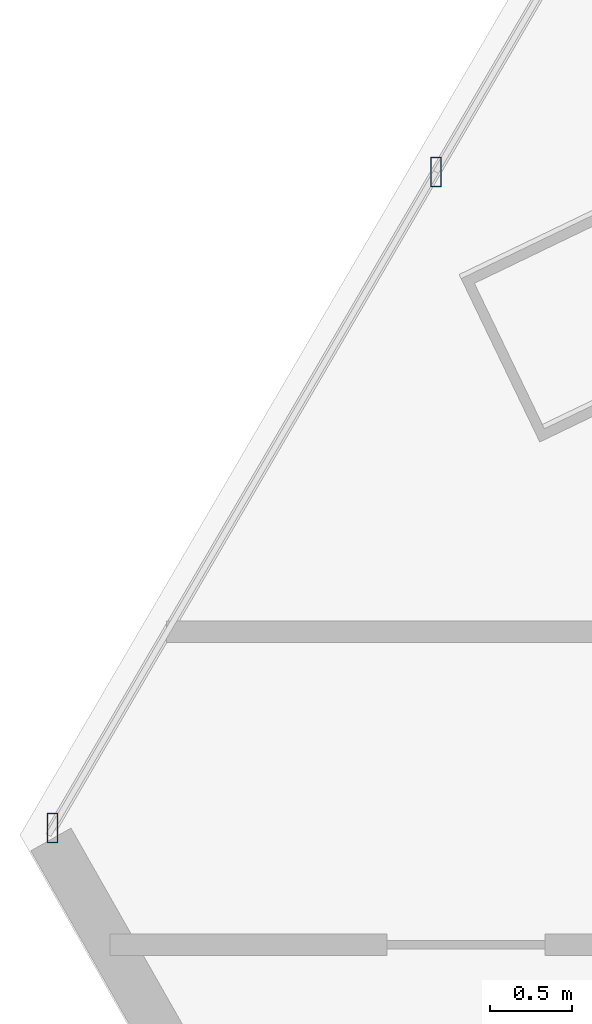
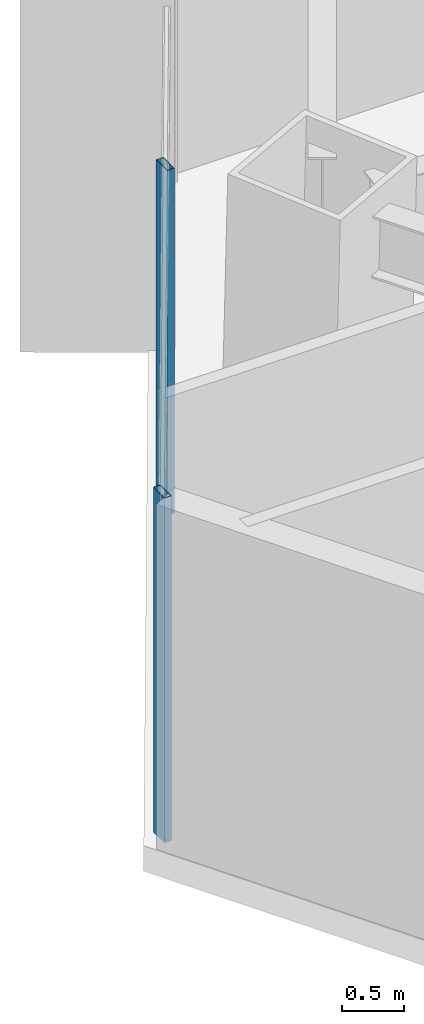
# One storey, part 7 of 37: 2 members, 1 element without a shape of its own.
"""IFC4 building model written with IfcOpenShell, lengths in metres."""

from ifc_helpers import new_model, si_unit, direction, frame, origin, origin_2d, place, context, subcontext, project, spatial, hollow_rectangle, extrude, source, transform, mapped, material, material_profile, profile_set, type_object, type_shapes, element, aggregate, save


model = new_model("IFC4")

# Units and contexts
model_context = context("Model", 3, precision=1e-05, world=origin(), true_north=direction((0.0, 1.0)))
body_context = subcontext(model_context, "Body", "Model", "MODEL_VIEW")
ifc_project = project(units=[si_unit("LENGTHUNIT", "METRE"), si_unit("AREAUNIT", "SQUARE_METRE"), si_unit("VOLUMEUNIT", "CUBIC_METRE"), si_unit("PLANEANGLEUNIT", "RADIAN"), si_unit("MASSUNIT", "GRAM", prefix="KILO")], contexts=[model_context])

# Site, building, storey
site_placement = place(None, origin())
site = spatial("IfcSite", under=ifc_project, at=site_placement, CompositionType="ELEMENT")
building_placement = place(site_placement, origin())
building = spatial("IfcBuilding", under=site, at=building_placement, Name="Caelisora Broadcast Tower", CompositionType="ELEMENT")
storey_placement = place(building_placement, frame((0.0, 0.0, 116.35009765625)))
storey = spatial("IfcBuildingStorey", under=building, at=storey_placement, Name="L30", CompositionType="ELEMENT", Elevation=116.35009765625)

# Curtain wall, members
ifc_material_1 = material(Name="Unitised Aluminium and Low-E Glass Curtain Wall", Category="glass")
curtain_wall_type = type_object("IfcCurtainWallType", Name="CW-Z2", PredefinedType="NOTDEFINED", material=ifc_material_1)
curtain_wall_placement = place(storey_placement, origin())
curtain_wall = element("IfcCurtainWall", 1, at=curtain_wall_placement, inside=storey, type_object=curtain_wall_type, Name="L30 curtain wall CW-Z2", PredefinedType="NOTDEFINED")
ifc_material_2 = material(Name="Aluminium 6063-T6 Anodised Terracotta Bronze", Category="aluminium")
ifc_material_profile = material_profile(ifc_material_2, hollow_rectangle(XDim=0.06494140625, YDim=0.179931640625, WallThickness=0.00341796875, at=origin_2d()), Name="Aluminium 6063-T6 Anodised Terracotta Bronze")
ifc_profile_set = profile_set([ifc_material_profile], Name="Aluminium 6063-T6 Anodised Terracotta Bronze")
member_type = type_object("IfcMemberType", Name="CWM-02", PredefinedType="MULLION", material=ifc_profile_set)
shared_shape = source(origin(), body_context, "Body", "SweptSolid", [
    extrude(hollow_rectangle(XDim=0.06494140625, YDim=0.179931640625, WallThickness=0.00341796875, at=origin_2d()), origin(), (0.0, 0.0, 1.0), 3.39990234375),
])
type_shapes(member_type, [shared_shape])
member_1_placement = place(storey_placement, frame((11.7783203125, 15.9091796875, 0.0), z_axis=(0.0, 0.0, 1.0), x_axis=(1.0, 0.0, 0.0)))
member_1 = element("IfcMember", 2, at=member_1_placement, type_object=member_type, Name="L30-CW-B09 mullion #0", PredefinedType="MULLION", context=body_context, shape_type="MappedRepresentation", body=[
    mapped(shared_shape, transform((0.0, 0.0, 0.0), scale=1.0)),
])
member_2_placement = place(storey_placement, frame((14.10595703125, 19.893310546875, 0.0), z_axis=(0.0, 0.0, 1.0), x_axis=(1.0, 0.0, 0.0)))
member_2 = element("IfcMember", 3, at=member_2_placement, type_object=member_type, Name="L30-CW-B09 mullion #1", PredefinedType="MULLION", context=body_context, shape_type="MappedRepresentation", body=[
    mapped(shared_shape, transform((0.0, 0.0, 0.0), scale=1.0)),
])
aggregate(curtain_wall, [member_1, member_2])

save(model, "model.ifc")
